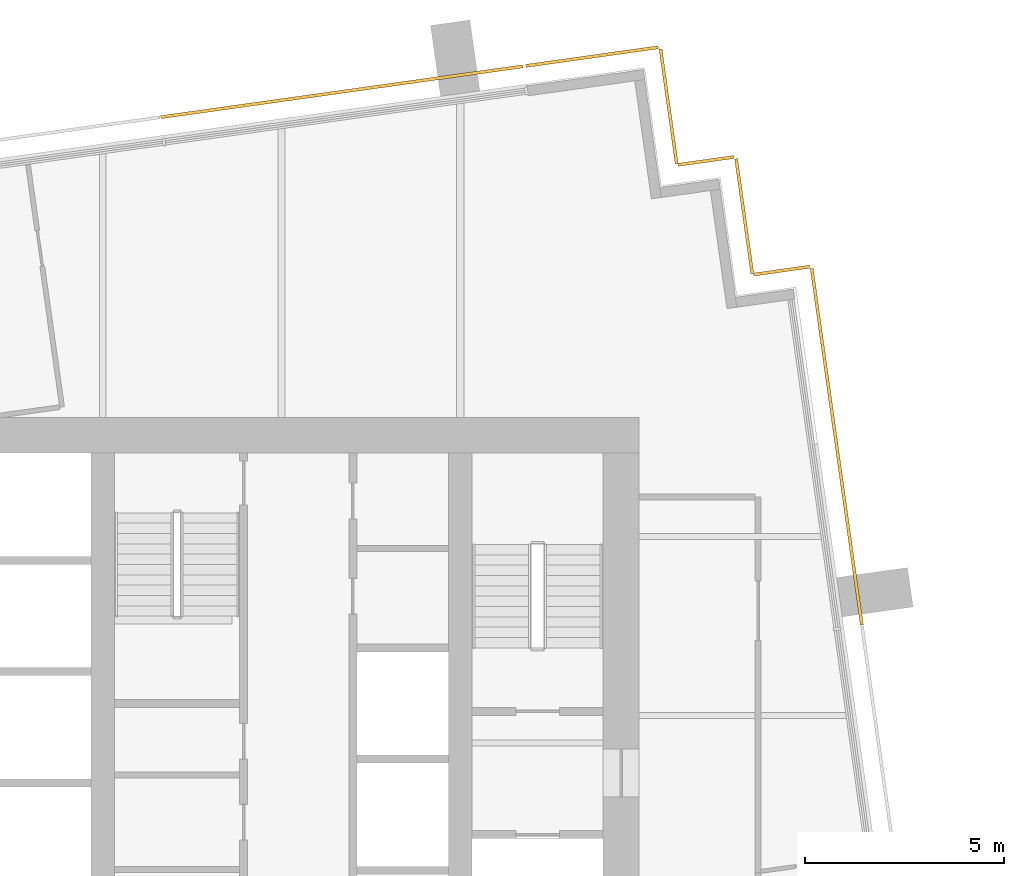
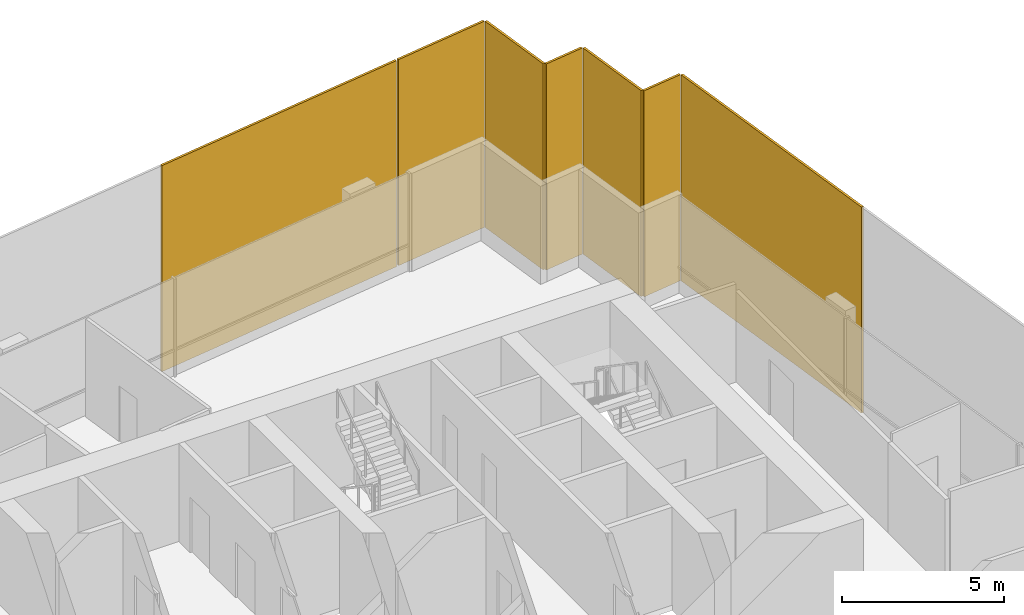
# One storey, part 15 of 15: 7 coverings.
"""IFC4 building model written with IfcOpenShell, lengths in metres."""

from ifc_helpers import new_model, si_unit, direction, frame, origin, origin_2d, place, context, subcontext, project, spatial, rectangle, extrude, material, layer, layer_set, type_object, element, save


model = new_model("IFC4")

# Units and contexts
model_context = context("Model", 3, precision=1e-05, world=origin(), true_north=direction((0.0, 1.0)))
body_context = subcontext(model_context, "Body", "Model", "MODEL_VIEW")
ifc_project = project(units=[si_unit("LENGTHUNIT", "METRE"), si_unit("AREAUNIT", "SQUARE_METRE"), si_unit("VOLUMEUNIT", "CUBIC_METRE"), si_unit("PLANEANGLEUNIT", "RADIAN"), si_unit("MASSUNIT", "GRAM", prefix="KILO")], contexts=[model_context])

# Site, building, storey
site_placement = place(None, origin())
site = spatial("IfcSite", under=ifc_project, at=site_placement, CompositionType="ELEMENT")
building_placement = place(site_placement, origin())
building = spatial("IfcBuilding", under=site, at=building_placement, Name="Rattan Terrace Tower", CompositionType="ELEMENT")
storey_placement = place(building_placement, frame((0.0, 0.0, 278.5)))
storey = spatial("IfcBuildingStorey", under=building, at=storey_placement, Name="L64", CompositionType="ELEMENT", Elevation=278.5)

# Coverings
ifc_material = material(Name="Perforated terracotta", Category="masonry")
ifc_layer = layer(ifc_material, 0.080078125)
ifc_layer_set = layer_set([ifc_layer], Name="Facade Terracotta Screen Panel HZ")
covering_type = type_object("IfcCoveringType", Name="Facade Terracotta Screen Panel HZ", PredefinedType="CLADDING", material=ifc_layer_set)
covering_1_placement = place(storey_placement, frame((22.9814453125, 6.76416015625, -0.18994140625), z_axis=(0.0, 0.0, 1.0), x_axis=(-0.139191775431, 0.990265444036, 0.0)))
element("IfcCovering", 1, at=covering_1_placement, inside=storey, type_object=covering_type, Name="OUTER SKIN panel L64-8", PredefinedType="CLADDING", context=body_context, shape_type="SweptSolid", body=[
    extrude(rectangle(XDim=9.066162109375, YDim=0.080078125, at=origin_2d()), origin(), (0.0, 0.0, 1.0), 7.780029296875),
])
covering_2_placement = place(storey_placement, frame((21.591064453125, 11.19677734375, -0.18994140625), z_axis=(0.0, 0.0, 1.0), x_axis=(-0.990240767803, -0.139367219175, 0.0)))
element("IfcCovering", 2, at=covering_2_placement, inside=storey, type_object=covering_type, Name="OUTER SKIN panel L64-9", PredefinedType="CLADDING", context=body_context, shape_type="SweptSolid", body=[
    extrude(rectangle(XDim=1.419677734375, YDim=0.080078125, at=origin_2d()), origin(), (0.0, 0.0, 1.0), 7.780029296875),
])
covering_3_placement = place(storey_placement, frame((20.65087890625, 12.569091796875, -0.18994140625), z_axis=(0.0, 0.0, 1.0), x_axis=(-0.139321220646, 0.990247240581, 0.0)))
element("IfcCovering", 3, at=covering_3_placement, inside=storey, type_object=covering_type, Name="OUTER SKIN panel L64-10", PredefinedType="CLADDING", context=body_context, shape_type="SweptSolid", body=[
    extrude(rectangle(XDim=2.919921875, YDim=0.080078125, at=origin_2d()), origin(), (0.0, 0.0, 1.0), 7.780029296875),
])
covering_4_placement = place(storey_placement, frame((19.68798828125, 13.958984375, -0.18994140625), z_axis=(0.0, 0.0, 1.0), x_axis=(-0.990332587523, -0.138713251317, 0.0)))
element("IfcCovering", 4, at=covering_4_placement, inside=storey, type_object=covering_type, Name="OUTER SKIN panel L64-11", PredefinedType="CLADDING", context=body_context, shape_type="SweptSolid", body=[
    extrude(rectangle(XDim=1.41943359375, YDim=0.080078125, at=origin_2d()), origin(), (0.0, 0.0, 1.0), 7.780029296875),
])
covering_5_placement = place(storey_placement, frame((18.747802734375, 15.33154296875, -0.18994140625), z_axis=(0.0, 0.0, 1.0), x_axis=(-0.139367219175, 0.990240767803, 0.0)))
element("IfcCovering", 5, at=covering_5_placement, inside=storey, type_object=covering_type, Name="OUTER SKIN panel L64-12", PredefinedType="CLADDING", context=body_context, shape_type="SweptSolid", body=[
    extrude(rectangle(XDim=2.91943359375, YDim=0.080078125, at=origin_2d()), origin(), (0.0, 0.0, 1.0), 7.780029296875),
])
covering_6_placement = place(storey_placement, frame((16.81982421875, 16.585205078125, -0.18994140625), z_axis=(0.0, 0.0, 1.0), x_axis=(-0.990286729519, -0.139040257974, 0.0)))
element("IfcCovering", 6, at=covering_6_placement, inside=storey, type_object=covering_type, Name="OUTER SKIN panel L64-13", PredefinedType="CLADDING", context=body_context, shape_type="SweptSolid", body=[
    extrude(rectangle(XDim=3.368896484375, YDim=0.080078125, at=origin_2d()), origin(), (0.0, 0.0, 1.0), 7.780029296875),
])
covering_7_placement = place(storey_placement, frame((10.517578125, 15.69970703125, -0.18994140625), z_axis=(0.0, 0.0, 1.0), x_axis=(-0.990265894013, -0.139188574079, 0.0)))
element("IfcCovering", 7, at=covering_7_placement, inside=storey, type_object=covering_type, Name="OUTER SKIN panel L64-14", PredefinedType="CLADDING", context=body_context, shape_type="SweptSolid", body=[
    extrude(rectangle(XDim=9.198974609375, YDim=0.080078125, at=origin_2d()), origin(), (0.0, 0.0, 1.0), 7.780029296875),
])

save(model, "model.ifc")
